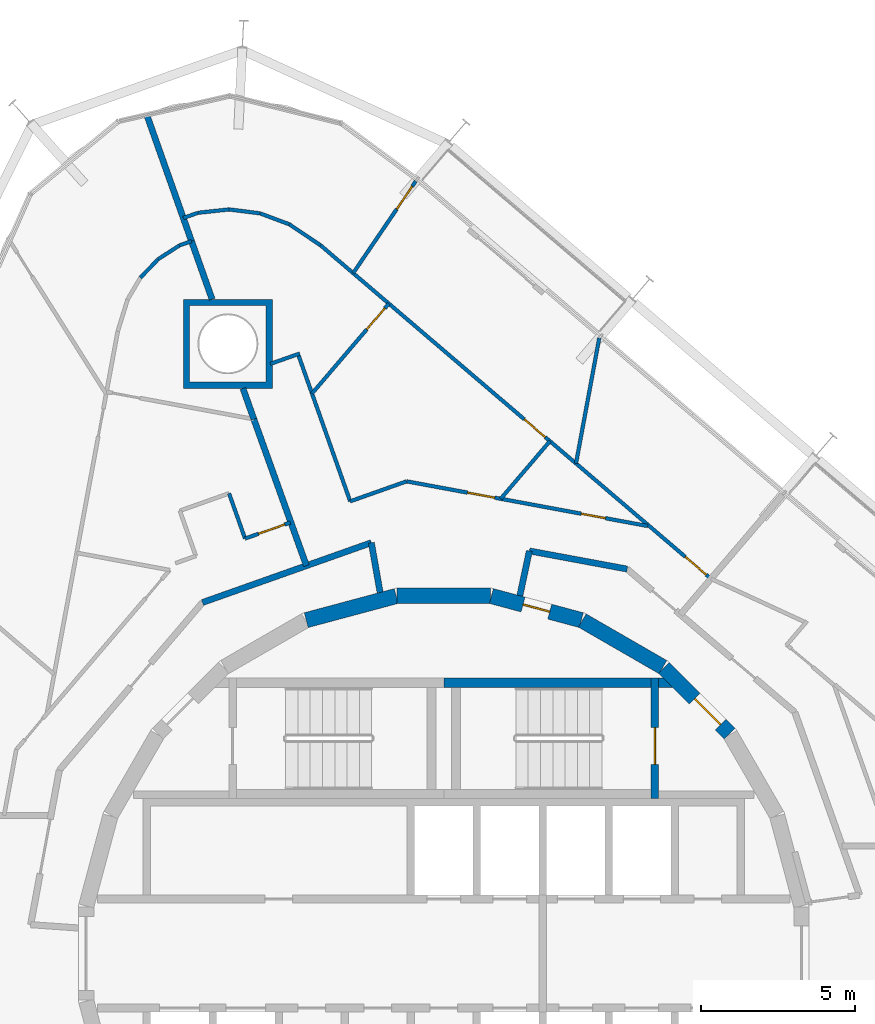
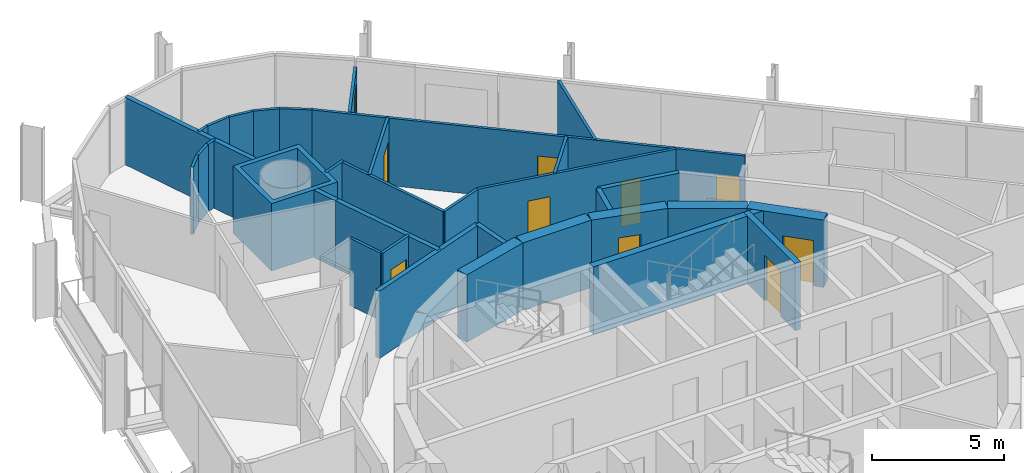
# One storey, part 15 of 17: 36 walls, 10 doors, 10 openings.
"""IFC4 building model written with IfcOpenShell, lengths in metres."""

from ifc_helpers import new_model, si_unit, direction, frame, frame_2d, origin, place, context, subcontext, project, spatial, polyline, rectangle, outline, extrude, material, layer, layer_set, type_object, element, fill, save


model = new_model("IFC4")

# Units and contexts
model_context = context("Model", 3, precision=1e-05, world=origin(), true_north=direction((0.0, 1.0)))
body_context = subcontext(model_context, "Body", "Model", "MODEL_VIEW")
ifc_project = project(units=[si_unit("LENGTHUNIT", "METRE"), si_unit("AREAUNIT", "SQUARE_METRE"), si_unit("VOLUMEUNIT", "CUBIC_METRE"), si_unit("PLANEANGLEUNIT", "RADIAN"), si_unit("MASSUNIT", "GRAM", prefix="KILO")], contexts=[model_context])

# Site, building, storey
site_placement = place(None, origin())
site = spatial("IfcSite", under=ifc_project, at=site_placement, CompositionType="ELEMENT")
building_placement = place(site_placement, origin())
building = spatial("IfcBuilding", under=site, at=building_placement, Name="Spindle Arch Residences", CompositionType="ELEMENT")
storey_placement = place(building_placement, frame((0.0, 0.0, 158.699951171875)))
storey = spatial("IfcBuildingStorey", under=building, at=storey_placement, Name="L39", CompositionType="ELEMENT", Elevation=158.699951171875)

# Wall, opening, door
ifc_material_1 = material(Name="Concrete C50/60", Category="concrete")
ifc_layer_1 = layer(ifc_material_1, 0.5)
ifc_layer_set_1 = layer_set([ifc_layer_1], Name="Core outline wall 500")
wall_type_1 = type_object("IfcWallType", Name="Core outline wall 500", PredefinedType="SHEAR", material=ifc_layer_set_1)
wall_1_placement = place(storey_placement, frame((9.30810546875, 7.163818359375, 0.0), z_axis=(0.0, 0.0, 1.0), x_axis=(-0.707106781187, 0.707106781187, 0.0)))
wall_1 = element("IfcWall", 1, at=wall_1_placement, inside=storey, type_object=wall_type_1, Name="Core outline wall 9", PredefinedType="SHEAR", context=body_context, shape_type="SweptSolid", body=[
    extrude(rectangle(XDim=3.032470703125, YDim=0.5, at=frame_2d((1.51611328125, 0.0))), origin(), (0.0, 0.0, 1.0), 3.1201171875),
])
opening_1_placement = place(wall_1_placement, frame((0.416259765625, 0.0, 0.0)))
opening_1 = element("IfcOpeningElement", 2, at=opening_1_placement, cuts=wall_1, Name="Opening R4A0-AD01", PredefinedType="OPENING", context=body_context, shape_type="SweptSolid", body=[
    extrude(rectangle(XDim=1.199951171875, YDim=2.10009765625, at=frame_2d((0.60009765625, 1.050048828125))), frame((0.0, 0.260009765625, 0.0), z_axis=(0.0, -1.0, 0.0), x_axis=(1.0, 0.0, 0.0)), (0.0, 0.0, 1.0), 0.52001953125),
])
ifc_material_2 = material(Name="Steel, fire-resisting door", Category="steel")
door_type_1 = type_object("IfcDoorType", Name="Stair airlock door 1200x2100", OperationType="SINGLE_SWING_LEFT", PredefinedType="DOOR", material=ifc_material_2)
door_1_placement = place(opening_1_placement, origin())
door_1 = element("IfcDoor", 3, at=door_1_placement, inside=storey, type_object=door_type_1, Name="Stair airlock door R4A0-AD01", OperationType="SINGLE_SWING_RIGHT", OverallHeight=2.10009765625, OverallWidth=1.199951171875, PredefinedType="DOOR", context=body_context, shape_type="SweptSolid", body=[
    extrude(rectangle(XDim=1.199951171875, YDim=2.10009765625, at=frame_2d((0.60009765625, 1.050048828125))), frame((0.0, 0.02490234375, 0.0), z_axis=(0.0, -1.0, 0.0), x_axis=(1.0, 0.0, 0.0)), (0.0, 0.0, 1.0), 0.050048828125),
])
fill(opening_1, door_1)

# Wall
wall_2_placement = place(storey_placement, frame((7.13671875, 9.32861328125, 0.0), z_axis=(0.0, 0.0, 1.0), x_axis=(-0.865975092491, 0.500087131594, 0.0)))
element("IfcWall", 4, at=wall_2_placement, inside=storey, type_object=wall_type_1, Name="Core outline wall 10", PredefinedType="SHEAR", context=body_context, shape_type="SweptSolid", body=[
    extrude(rectangle(XDim=3.03271484375, YDim=0.5, at=frame_2d((1.516357421875, 0.0))), origin(), (0.0, 0.0, 1.0), 3.1201171875),
])

# Wall, opening, door
wall_3_placement = place(storey_placement, frame((4.479248046875, 10.858154296875, 0.0), z_axis=(0.0, 0.0, 1.0), x_axis=(-0.965948410781, 0.258734743916, 0.0)))
wall_3 = element("IfcWall", 5, at=wall_3_placement, inside=storey, type_object=wall_type_1, Name="Core outline wall 11", PredefinedType="SHEAR", context=body_context, shape_type="SweptSolid", body=[
    extrude(rectangle(XDim=3.03271484375, YDim=0.5, at=frame_2d((1.516357421875, 0.0))), origin(), (0.0, 0.0, 1.0), 3.1201171875),
])
opening_2_placement = place(wall_3_placement, frame((1.066162109375, 0.0, 0.0)))
opening_2 = element("IfcOpeningElement", 6, at=opening_2_placement, cuts=wall_3, Name="Opening R4A0-WD11", PredefinedType="OPENING", context=body_context, shape_type="SweptSolid", body=[
    extrude(rectangle(XDim=0.89990234375, YDim=2.10009765625, at=frame_2d((0.449951171875, 1.050048828125))), frame((0.0, 0.260009765625, 0.0), z_axis=(0.0, -1.0, 0.0), x_axis=(1.0, 0.0, 0.0)), (0.0, 0.0, 1.0), 0.52001953125),
])
ifc_material_3 = material(Name="Steel, fire-resisting door", Category="steel")
door_type_2 = type_object("IfcDoorType", Name="Service room door 900x2100", OperationType="SINGLE_SWING_LEFT", PredefinedType="DOOR", material=ifc_material_3)
door_2_placement = place(opening_2_placement, origin())
door_2 = element("IfcDoor", 7, at=door_2_placement, inside=storey, type_object=door_type_2, Name="Service room door R4A0-WD11", OperationType="SINGLE_SWING_LEFT", OverallHeight=2.10009765625, OverallWidth=0.89990234375, PredefinedType="DOOR", context=body_context, shape_type="SweptSolid", body=[
    extrude(rectangle(XDim=0.89990234375, YDim=2.10009765625, at=frame_2d((0.449951171875, 1.050048828125))), frame((0.0, 0.02490234375, 0.0), z_axis=(0.0, -1.0, 0.0), x_axis=(1.0, 0.0, 0.0)), (0.0, 0.0, 1.0), 0.050048828125),
])
fill(opening_2, door_2)

# Walls
for number, where, z_axis, x_axis, name in (
    (8, (1.516357421875, 11.647216796875, 0.0), (0.0, 0.0, 1.0), (-1.0, 0.0, 0.0), "Core outline wall 12"),
    (9, (-1.5498046875, 11.642822265625, 0.0), (0.0, 0.0, 1.0), (-0.965948410781, -0.258734743916, 0.0), "Core outline wall 13"),
):
    element("IfcWall", number, at=place(storey_placement, frame(where, z_axis=z_axis, x_axis=x_axis)), inside=storey, type_object=wall_type_1, Name=name, PredefinedType="SHEAR", context=body_context, shape_type="SweptSolid", body=[
        extrude(rectangle(XDim=3.03271484375, YDim=0.5, at=frame_2d((1.516357421875, 0.0))), origin(), (0.0, 0.0, 1.0), 3.1201171875),
    ])
ifc_material_4 = material(Name="Calcium silicate block, plastered")
ifc_layer_2 = layer(ifc_material_4, 0.199951171875)
ifc_layer_set_2 = layer_set([ifc_layer_2], Name="Corridor wall 200")
wall_type_2 = type_object("IfcWallType", Name="Corridor wall 200", PredefinedType="STANDARD", material=ifc_layer_set_2)
wall_4_placement = place(storey_placement, frame((5.972412109375, 12.521240234375, 0.0), z_axis=(0.0, 0.0, 1.0), x_axis=(-0.983243002308, 0.182299748799, 0.0)))
element("IfcWall", 10, at=wall_4_placement, inside=storey, type_object=wall_type_2, Name="Corridor wall R4A0-W005", PredefinedType="STANDARD", context=body_context, shape_type="SweptSolid", body=[
    extrude(rectangle(XDim=3.239501953125, YDim=0.199951171875, at=frame_2d((1.61962890625, 0.0))), origin(), (0.0, 0.0, 1.0), 3.1201171875),
])
wall_5_placement = place(storey_placement, frame((2.787109375, 13.11181640625, 0.0), z_axis=(0.0, 0.0, 1.0), x_axis=(-0.207941001029, -0.978141370197, 0.0)))
element("IfcWall", 11, at=wall_5_placement, inside=storey, type_object=wall_type_2, Name="Corridor wall R4A0-W006", PredefinedType="STANDARD", context=body_context, shape_type="SweptSolid", body=[
    extrude(rectangle(XDim=1.4912109375, YDim=0.199951171875, at=frame_2d((0.74560546875, 0.0))), origin(), (0.0, 0.0, 1.0), 3.1201171875),
])
wall_6_placement = place(storey_placement, frame((-2.07373046875, 11.76123046875, 0.0), z_axis=(0.0, 0.0, 1.0), x_axis=(-0.1736412798, 0.984808969267, 0.0)))
element("IfcWall", 12, at=wall_6_placement, inside=storey, type_object=wall_type_2, Name="Corridor wall R4A0-W009", PredefinedType="STANDARD", context=body_context, shape_type="SweptSolid", body=[
    extrude(rectangle(XDim=1.6435546875, YDim=0.199951171875, at=frame_2d((0.82177734375, 0.0))), origin(), (0.0, 0.0, 1.0), 3.1201171875),
])
wall_7_placement = place(storey_placement, frame((-2.359130859375, 13.3798828125, 0.0), z_axis=(0.0, 0.0, 1.0), x_axis=(-0.942647529236, -0.333789807551, 0.0)))
element("IfcWall", 13, at=wall_7_placement, inside=storey, type_object=wall_type_2, Name="Corridor wall R4A0-W010", PredefinedType="STANDARD", context=body_context, shape_type="SweptSolid", body=[
    extrude(rectangle(XDim=5.8330078125, YDim=0.199951171875, at=frame_2d((2.91650390625, 0.0))), origin(), (0.0, 0.0, 1.0), 3.1201171875),
])

# Wall, openings, doors
ifc_material_5 = material(Name="Plasterboard on steel studs", Category="steel")
ifc_layer_3 = layer(ifc_material_5, 0.1201171875)
ifc_layer_set_3 = layer_set([ifc_layer_3], Name="Flat partition 120")
wall_type_3 = type_object("IfcWallType", Name="Flat partition 120", PredefinedType="PARTITIONING", material=ifc_layer_set_3)
wall_8_placement = place(storey_placement, frame((8.701904296875, 12.205810546875, 0.0), z_axis=(0.0, 0.0, 1.0), x_axis=(-0.760401313718, 0.649453494945, 0.0)))
wall_8 = element("IfcWall", 14, at=wall_8_placement, inside=storey, type_object=wall_type_3, Name="Flat partition R4A0-W054", PredefinedType="PARTITIONING", context=body_context, shape_type="SweptSolid", body=[
    extrude(rectangle(XDim=16.723876953125, YDim=0.1201171875, at=frame_2d((8.36181640625, 0.0))), origin(), (0.0, 0.0, 1.0), 3.1201171875),
])
opening_3_placement = place(wall_8_placement, frame((0.199951171875, 0.0, 0.0)))
opening_3 = element("IfcOpeningElement", 15, at=opening_3_placement, cuts=wall_8, Name="Opening R4A0-ID06", PredefinedType="OPENING", context=body_context, shape_type="SweptSolid", body=[
    extrude(rectangle(XDim=0.89990234375, YDim=2.10009765625, at=frame_2d((0.449951171875, 1.050048828125))), frame((0.0, 0.070068359375, 0.0), z_axis=(0.0, -1.0, 0.0), x_axis=(1.0, 0.0, 0.0)), (0.0, 0.0, 1.0), 0.14013671875),
])
opening_4_placement = place(wall_8_placement, frame((7.09912109375, 0.0, 0.0)))
opening_4 = element("IfcOpeningElement", 16, at=opening_4_placement, cuts=wall_8, Name="Opening R4A0-ID08", PredefinedType="OPENING", context=body_context, shape_type="SweptSolid", body=[
    extrude(rectangle(XDim=0.89990234375, YDim=2.10009765625, at=frame_2d((0.449951171875, 1.050048828125))), frame((0.0, 0.070068359375, 0.0), z_axis=(0.0, -1.0, 0.0), x_axis=(1.0, 0.0, 0.0)), (0.0, 0.0, 1.0), 0.14013671875),
])
ifc_material_6 = material(Name="Timber door set", Category="wood")
door_type_3 = type_object("IfcDoorType", Name="Room door 900x2100", OperationType="NOTDEFINED", PredefinedType="DOOR", material=ifc_material_6)
door_3_placement = place(opening_3_placement, origin())
door_3 = element("IfcDoor", 17, at=door_3_placement, inside=storey, type_object=door_type_3, Name="Room door R4A0-ID06", OperationType="SINGLE_SWING_RIGHT", OverallHeight=2.10009765625, OverallWidth=0.89990234375, PredefinedType="DOOR", context=body_context, shape_type="SweptSolid", body=[
    extrude(rectangle(XDim=0.89990234375, YDim=2.10009765625, at=frame_2d((0.449951171875, 1.050048828125))), frame((0.0, 0.02490234375, 0.0), z_axis=(0.0, -1.0, 0.0), x_axis=(1.0, 0.0, 0.0)), (0.0, 0.0, 1.0), 0.050048828125),
])
fill(opening_3, door_3)
door_4_placement = place(opening_4_placement, origin())
door_4 = element("IfcDoor", 18, at=door_4_placement, inside=storey, type_object=door_type_3, Name="Room door R4A0-ID08", OperationType="SINGLE_SWING_RIGHT", OverallHeight=2.10009765625, OverallWidth=0.89990234375, PredefinedType="DOOR", context=body_context, shape_type="SweptSolid", body=[
    extrude(rectangle(XDim=0.89990234375, YDim=2.10009765625, at=frame_2d((0.449951171875, 1.050048828125))), frame((0.0, 0.02490234375, 0.0), z_axis=(0.0, -1.0, 0.0), x_axis=(1.0, 0.0, 0.0)), (0.0, 0.0, 1.0), 0.050048828125),
])
fill(opening_4, door_4)

wall_9_placement = place(storey_placement, frame((6.640869140625, 13.9228515625, 0.0), z_axis=(0.0, 0.0, 1.0), x_axis=(-0.983250157272, 0.182261153912, 0.0)))
wall_9 = element("IfcWall", 19, at=wall_9_placement, inside=storey, type_object=wall_type_3, Name="Flat partition R4A0-W055", PredefinedType="PARTITIONING", context=body_context, shape_type="SweptSolid", body=[
    extrude(rectangle(XDim=7.98486328125, YDim=0.1201171875, at=frame_2d((3.992431640625, 0.0))), origin(), (0.0, 0.0, 1.0), 3.1201171875),
])
opening_5_placement = place(wall_9_placement, frame((1.39990234375, 0.0, 0.0)))
opening_5 = element("IfcOpeningElement", 20, at=opening_5_placement, cuts=wall_9, Name="Opening R4A0-BD02", PredefinedType="OPENING", context=body_context, shape_type="SweptSolid", body=[
    extrude(rectangle(XDim=0.800048828125, YDim=2.10009765625, at=frame_2d((0.39990234375, 1.050048828125))), frame((0.0, 0.070068359375, 0.0), z_axis=(0.0, -1.0, 0.0), x_axis=(1.0, 0.0, 0.0)), (0.0, 0.0, 1.0), 0.14013671875),
])
opening_6_placement = place(wall_9_placement, frame((5.06884765625, 0.0, 0.0)))
opening_6 = element("IfcOpeningElement", 21, at=opening_6_placement, cuts=wall_9, Name="Opening R4A0-ID07", PredefinedType="OPENING", context=body_context, shape_type="SweptSolid", body=[
    extrude(rectangle(XDim=0.89990234375, YDim=2.10009765625, at=frame_2d((0.449951171875, 1.050048828125))), frame((0.0, 0.070068359375, 0.0), z_axis=(0.0, -1.0, 0.0), x_axis=(1.0, 0.0, 0.0)), (0.0, 0.0, 1.0), 0.14013671875),
])
ifc_material_7 = material(Name="Timber door set", Category="wood")
door_type_4 = type_object("IfcDoorType", Name="Bathroom door 800x2100", OperationType="NOTDEFINED", PredefinedType="DOOR", material=ifc_material_7)
door_5_placement = place(opening_5_placement, origin())
door_5 = element("IfcDoor", 22, at=door_5_placement, inside=storey, type_object=door_type_4, Name="Bathroom door R4A0-BD02", OperationType="SINGLE_SWING_RIGHT", OverallHeight=2.10009765625, OverallWidth=0.800048828125, PredefinedType="DOOR", context=body_context, shape_type="SweptSolid", body=[
    extrude(rectangle(XDim=0.800048828125, YDim=2.10009765625, at=frame_2d((0.39990234375, 1.050048828125))), frame((0.0, 0.02490234375, 0.0), z_axis=(0.0, -1.0, 0.0), x_axis=(1.0, 0.0, 0.0)), (0.0, 0.0, 1.0), 0.050048828125),
])
fill(opening_5, door_5)
door_6_placement = place(opening_6_placement, origin())
door_6 = element("IfcDoor", 23, at=door_6_placement, inside=storey, type_object=door_type_3, Name="Room door R4A0-ID07", OperationType="SINGLE_SWING_RIGHT", OverallHeight=2.10009765625, OverallWidth=0.89990234375, PredefinedType="DOOR", context=body_context, shape_type="SweptSolid", body=[
    extrude(rectangle(XDim=0.89990234375, YDim=2.10009765625, at=frame_2d((0.449951171875, 1.050048828125))), frame((0.0, 0.02490234375, 0.0), z_axis=(0.0, -1.0, 0.0), x_axis=(1.0, 0.0, 0.0)), (0.0, 0.0, 1.0), 0.050048828125),
])
fill(opening_6, door_6)

# Walls
wall_10_placement = place(storey_placement, frame((-1.210205078125, 15.378173828125, 0.0), z_axis=(0.0, 0.0, 1.0), x_axis=(-0.942633792474, -0.333828598663, 0.0)))
element("IfcWall", 24, at=wall_10_placement, inside=storey, type_object=wall_type_3, Name="Flat partition R4A0-W056", PredefinedType="PARTITIONING", context=body_context, shape_type="SweptSolid", body=[
    extrude(rectangle(XDim=1.94970703125, YDim=0.1201171875, at=frame_2d((0.974853515625, 0.0))), origin(), (0.0, 0.0, 1.0), 3.1201171875),
])
wall_11_placement = place(storey_placement, frame((-3.048095703125, 14.727294921875, 0.0), z_axis=(0.0, 0.0, 1.0), x_axis=(-0.333811603187, 0.942639811157, 0.0)))
element("IfcWall", 25, at=wall_11_placement, inside=storey, type_object=wall_type_3, Name="Flat partition R4A0-W057", PredefinedType="PARTITIONING", context=body_context, shape_type="SweptSolid", body=[
    extrude(rectangle(XDim=5.086669921875, YDim=0.1201171875, at=frame_2d((2.54345703125, 0.0))), origin(), (0.0, 0.0, 1.0), 3.1201171875),
])
wall_12_placement = place(storey_placement, frame((-4.689453125, 19.5419921875, 0.0), z_axis=(0.0, 0.0, 1.0), x_axis=(-0.942661851862, -0.33374935662, 0.0)))
element("IfcWall", 26, at=wall_12_placement, inside=storey, type_object=wall_type_3, Name="Flat partition R4A0-W058", PredefinedType="PARTITIONING", context=body_context, shape_type="SweptSolid", body=[
    extrude(rectangle(XDim=1.016845703125, YDim=0.1201171875, at=frame_2d((0.50830078125, 0.0))), origin(), (0.0, 0.0, 1.0), 3.1201171875),
])
wall_13_placement = place(storey_placement, frame((5.063232421875, 20.048095703125, 0.0), z_axis=(0.0, 0.0, 1.0), x_axis=(-0.182238575099, -0.983254342348, 0.0)))
element("IfcWall", 27, at=wall_13_placement, inside=storey, type_object=wall_type_3, Name="Flat partition R4A0-W059", PredefinedType="PARTITIONING", context=body_context, shape_type="SweptSolid", body=[
    extrude(rectangle(XDim=4.156982421875, YDim=0.1201171875, at=frame_2d((2.07861328125, 0.0))), origin(), (0.0, 0.0, 1.0), 3.1201171875),
])
wall_14_placement = place(storey_placement, frame((3.455810546875, 16.686279296875, 0.0), z_axis=(0.0, 0.0, 1.0), x_axis=(-0.649462010463, -0.760394040591, 0.0)))
element("IfcWall", 28, at=wall_14_placement, inside=storey, type_object=wall_type_3, Name="Flat partition R4A0-W060", PredefinedType="PARTITIONING", context=body_context, shape_type="SweptSolid", body=[
    extrude(rectangle(XDim=2.467041015625, YDim=0.1201171875, at=frame_2d((1.2333984375, 0.0))), origin(), (0.0, 0.0, 1.0), 3.1201171875),
])

# Wall, opening, door
wall_15_placement = place(storey_placement, frame((-1.790283203125, 21.1669921875, 0.0), z_axis=(0.0, 0.0, 1.0), x_axis=(-0.649427819186, -0.760423242456, 0.0)))
wall_15 = element("IfcWall", 29, at=wall_15_placement, inside=storey, type_object=wall_type_3, Name="Flat partition R4A0-W062", PredefinedType="PARTITIONING", context=body_context, shape_type="SweptSolid", body=[
    extrude(rectangle(XDim=3.851318359375, YDim=0.1201171875, at=frame_2d((1.92578125, 0.0))), origin(), (0.0, 0.0, 1.0), 3.1201171875),
])
opening_7_placement = place(wall_15_placement, frame((0.199951171875, 0.0, 0.0)))
opening_7 = element("IfcOpeningElement", 30, at=opening_7_placement, cuts=wall_15, Name="Opening R4A0-ID09", PredefinedType="OPENING", context=body_context, shape_type="SweptSolid", body=[
    extrude(rectangle(XDim=0.89990234375, YDim=2.10009765625, at=frame_2d((0.449951171875, 1.050048828125))), frame((0.0, 0.070068359375, 0.0), z_axis=(0.0, -1.0, 0.0), x_axis=(1.0, 0.0, 0.0)), (0.0, 0.0, 1.0), 0.14013671875),
])
door_7_placement = place(opening_7_placement, origin())
door_7 = element("IfcDoor", 31, at=door_7_placement, inside=storey, type_object=door_type_3, Name="Room door R4A0-ID09", OperationType="SINGLE_SWING_RIGHT", OverallHeight=2.10009765625, OverallWidth=0.89990234375, PredefinedType="DOOR", context=body_context, shape_type="SweptSolid", body=[
    extrude(rectangle(XDim=0.89990234375, YDim=2.10009765625, at=frame_2d((0.449951171875, 1.050048828125))), frame((0.0, 0.02490234375, 0.0), z_axis=(0.0, -1.0, 0.0), x_axis=(1.0, 0.0, 0.0)), (0.0, 0.0, 1.0), 0.050048828125),
])
fill(opening_7, door_7)

# Walls
wall_16_placement = place(storey_placement, frame((-8.482666015625, 23.9541015625, 0.0), z_axis=(0.0, 0.0, 1.0), x_axis=(0.942554725445, 0.334051776738, 0.0)))
element("IfcWall", 32, at=wall_16_placement, inside=storey, type_object=wall_type_3, Name="Flat partition R4A0-W063", PredefinedType="PARTITIONING", context=body_context, shape_type="SweptSolid", body=[
    extrude(rectangle(XDim=0.508056640625, YDim=0.1201171875, at=frame_2d((0.25390625, 0.0))), origin(), (0.0, 0.0, 1.0), 3.1201171875),
])
wall_17_placement = place(storey_placement, frame((-8.00390625, 24.123779296875, 0.0), z_axis=(0.0, 0.0, 1.0), x_axis=(0.994216064839, 0.107398400431, 0.0)))
element("IfcWall", 33, at=wall_17_placement, inside=storey, type_object=wall_type_3, Name="Flat partition R4A0-W064", PredefinedType="PARTITIONING", context=body_context, shape_type="SweptSolid", body=[
    extrude(rectangle(XDim=1.01611328125, YDim=0.1201171875, at=frame_2d((0.508056640625, 0.0))), origin(), (0.0, 0.0, 1.0), 3.1201171875),
])
wall_18_placement = place(storey_placement, frame((-6.99365234375, 24.23291015625, 0.0), z_axis=(0.0, 0.0, 1.0), x_axis=(0.992188875952, -0.124744676991, 0.0)))
element("IfcWall", 34, at=wall_18_placement, inside=storey, type_object=wall_type_3, Name="Flat partition R4A0-W065", PredefinedType="PARTITIONING", context=body_context, shape_type="SweptSolid", body=[
    extrude(rectangle(XDim=1.015625, YDim=0.1201171875, at=frame_2d((0.5078125, 0.0))), origin(), (0.0, 0.0, 1.0), 3.1201171875),
])
wall_19_placement = place(storey_placement, frame((-5.98583984375, 24.106201171875, 0.0), z_axis=(0.0, 0.0, 1.0), x_axis=(0.936625084254, -0.350333343469, 0.0)))
element("IfcWall", 35, at=wall_19_placement, inside=storey, type_object=wall_type_3, Name="Flat partition R4A0-W066", PredefinedType="PARTITIONING", context=body_context, shape_type="SweptSolid", body=[
    extrude(rectangle(XDim=1.01611328125, YDim=0.1201171875, at=frame_2d((0.508056640625, 0.0))), origin(), (0.0, 0.0, 1.0), 3.1201171875),
])
wall_20_placement = place(storey_placement, frame((-5.0341796875, 23.750244140625, 0.0), z_axis=(0.0, 0.0, 1.0), x_axis=(0.83070096574, -0.556718874764, 0.0)))
element("IfcWall", 36, at=wall_20_placement, inside=storey, type_object=wall_type_3, Name="Flat partition R4A0-W067", PredefinedType="PARTITIONING", context=body_context, shape_type="SweptSolid", body=[
    extrude(rectangle(XDim=1.22705078125, YDim=0.1201171875, at=frame_2d((0.613525390625, 0.0))), origin(), (0.0, 0.0, 1.0), 3.1201171875),
])

# Wall, opening, door
wall_21_placement = place(storey_placement, frame((-4.993408203125, 14.038330078125, 0.0), z_axis=(0.0, 0.0, 1.0), x_axis=(-0.942685371668, -0.333682918418, 0.0)))
wall_21 = element("IfcWall", 37, at=wall_21_placement, inside=storey, type_object=wall_type_3, Name="Flat partition R4A0-W068", PredefinedType="PARTITIONING", context=body_context, shape_type="SweptSolid", body=[
    extrude(rectangle(XDim=1.568603515625, YDim=0.1201171875, at=frame_2d((0.7841796875, 0.0))), origin(), (0.0, 0.0, 1.0), 3.1201171875),
])
opening_8_placement = place(wall_21_placement, frame((0.199951171875, 0.0, 0.0)))
opening_8 = element("IfcOpeningElement", 38, at=opening_8_placement, cuts=wall_21, Name="Opening R4A0-ID11", PredefinedType="OPENING", context=body_context, shape_type="SweptSolid", body=[
    extrude(rectangle(XDim=0.89990234375, YDim=2.10009765625, at=frame_2d((0.449951171875, 1.050048828125))), frame((0.0, 0.070068359375, 0.0), z_axis=(0.0, -1.0, 0.0), x_axis=(1.0, 0.0, 0.0)), (0.0, 0.0, 1.0), 0.14013671875),
])
door_8_placement = place(opening_8_placement, origin())
door_8 = element("IfcDoor", 39, at=door_8_placement, inside=storey, type_object=door_type_3, Name="Room door R4A0-ID11", OperationType="SINGLE_SWING_LEFT", OverallHeight=2.10009765625, OverallWidth=0.89990234375, PredefinedType="DOOR", context=body_context, shape_type="SweptSolid", body=[
    extrude(rectangle(XDim=0.89990234375, YDim=2.10009765625, at=frame_2d((0.449951171875, 1.050048828125))), frame((0.0, 0.02490234375, 0.0), z_axis=(0.0, -1.0, 0.0), x_axis=(1.0, 0.0, 0.0)), (0.0, 0.0, 1.0), 0.050048828125),
])
fill(opening_8, door_8)

# Walls
wall_22_placement = place(storey_placement, frame((-6.47216796875, 13.514892578125, 0.0), z_axis=(0.0, 0.0, 1.0), x_axis=(-0.333809516424, 0.942640550127, 0.0)))
element("IfcWall", 40, at=wall_22_placement, inside=storey, type_object=wall_type_3, Name="Flat partition R4A0-W069", PredefinedType="PARTITIONING", context=body_context, shape_type="SweptSolid", body=[
    extrude(rectangle(XDim=1.5615234375, YDim=0.1201171875, at=frame_2d((0.78076171875, 0.0))), origin(), (0.0, 0.0, 1.0), 3.1201171875),
])
wall_23_placement = place(storey_placement, frame((-8.215576171875, 23.2001953125, 0.0), z_axis=(0.0, 0.0, 1.0), x_axis=(-0.942565413363, -0.33402161836, 0.0)))
element("IfcWall", 41, at=wall_23_placement, inside=storey, type_object=wall_type_3, Name="Flat partition R4A0-W075", PredefinedType="PARTITIONING", context=body_context, shape_type="SweptSolid", body=[
    extrude(rectangle(XDim=0.414306640625, YDim=0.1201171875, at=frame_2d((0.20703125, 0.0))), origin(), (0.0, 0.0, 1.0), 3.1201171875),
])
for number, where, z_axis, x_axis, name in (
    (42, (-8.606201171875, 23.061767578125, 0.0), (0.0, 0.0, 1.0), (-0.840249037985, -0.542200658581, 0.0), "Flat partition R4A0-W076"),
    (43, (-9.302734375, 22.6123046875, 0.0), (0.0, 0.0, 1.0), (-0.692525696474, -0.721393207428, 0.0), "Flat partition R4A0-W077"),
):
    element("IfcWall", number, at=place(storey_placement, frame(where, z_axis=z_axis, x_axis=x_axis)), inside=storey, type_object=wall_type_3, Name=name, PredefinedType="PARTITIONING", context=body_context, shape_type="SweptSolid", body=[
        extrude(rectangle(XDim=0.828857421875, YDim=0.1201171875, at=frame_2d((0.41455078125, 0.0))), origin(), (0.0, 0.0, 1.0), 3.1201171875),
    ])

# Wall, opening, door
ifc_material_8 = material(Name="Plasterboard on steel studs", Category="steel")
ifc_layer_4 = layer(ifc_material_8, 0.1201171875)
ifc_layer_set_4 = layer_set([ifc_layer_4], Name="Flat partition 120 under beam 2730")
wall_type_4 = type_object("IfcWallType", Name="Flat partition 120 under beam 2730", PredefinedType="PARTITIONING", material=ifc_layer_set_4)
wall_24_placement = place(storey_placement, frame((-0.913818359375, 25.152587890625, 0.0), z_axis=(0.0, 0.0, 1.0), x_axis=(-0.56264004133, -0.826701992191, 0.0)))
wall_24 = element("IfcWall", 44, at=wall_24_placement, inside=storey, type_object=wall_type_4, Name="Flat partition R4A0-W061", PredefinedType="PARTITIONING", context=body_context, shape_type="SweptSolid", body=[
    extrude(rectangle(XDim=3.62158203125, YDim=0.1201171875, at=frame_2d((1.810791015625, 0.0))), origin(), (0.0, 0.0, 1.0), 2.72998046875),
])
opening_9_placement = place(wall_24_placement, frame((0.199951171875, 0.0, 0.0)))
opening_9 = element("IfcOpeningElement", 45, at=opening_9_placement, cuts=wall_24, Name="Opening R4A0-ID10", PredefinedType="OPENING", context=body_context, shape_type="SweptSolid", body=[
    extrude(rectangle(XDim=0.89990234375, YDim=2.10009765625, at=frame_2d((0.449951171875, 1.050048828125))), frame((0.0, 0.070068359375, 0.0), z_axis=(0.0, -1.0, 0.0), x_axis=(1.0, 0.0, 0.0)), (0.0, 0.0, 1.0), 0.14013671875),
])
door_9_placement = place(opening_9_placement, origin())
door_9 = element("IfcDoor", 46, at=door_9_placement, inside=storey, type_object=door_type_3, Name="Room door R4A0-ID10", OperationType="SINGLE_SWING_RIGHT", OverallHeight=2.10009765625, OverallWidth=0.89990234375, PredefinedType="DOOR", context=body_context, shape_type="SweptSolid", body=[
    extrude(rectangle(XDim=0.89990234375, YDim=2.10009765625, at=frame_2d((0.449951171875, 1.050048828125))), frame((0.0, 0.02490234375, 0.0), z_axis=(0.0, -1.0, 0.0), x_axis=(1.0, 0.0, 0.0)), (0.0, 0.0, 1.0), 0.050048828125),
])
fill(opening_9, door_9)

# Walls
ifc_material_9 = material(Name="Calcium silicate block, plastered")
ifc_layer_5 = layer(ifc_material_9, 0.199951171875)
ifc_layer_set_5 = layer_set([ifc_layer_5], Name="Flat party wall 200")
wall_type_5 = type_object("IfcWallType", Name="Flat party wall 200", PredefinedType="STANDARD", material=ifc_layer_set_5)
wall_25_placement = place(storey_placement, frame((-6.1845703125, 17.401611328125, 0.0), z_axis=(0.0, 0.0, 1.0), x_axis=(0.337736730281, -0.941240618024, 0.0)))
element("IfcWall", 47, at=wall_25_placement, inside=storey, type_object=wall_type_5, Name="Flat party wall R4A0-W030", PredefinedType="STANDARD", context=body_context, shape_type="SweptSolid", body=[
    extrude(rectangle(XDim=5.068115234375, YDim=0.199951171875, at=frame_2d((2.5341796875, 0.0))), origin(), (0.0, 0.0, 1.0), 3.1201171875),
])
wall_26_placement = place(storey_placement, frame((-6.538818359375, 18.402587890625, 0.0), z_axis=(0.0, 0.0, 1.0), x_axis=(0.333625806098, -0.942705585804, 0.0)))
element("IfcWall", 48, at=wall_26_placement, inside=storey, type_object=wall_type_5, Name="Flat party wall R4A0-W031", PredefinedType="STANDARD", context=body_context, shape_type="SweptSolid", body=[
    extrude(rectangle(XDim=1.061767578125, YDim=0.199951171875, at=frame_2d((0.53076171875, 0.0))), origin(), (0.0, 0.0, 1.0), 3.1201171875),
])
wall_27_placement = place(storey_placement, frame((-9.684326171875, 27.34765625, 0.0), z_axis=(0.0, 0.0, 1.0), x_axis=(0.333818381408, -0.942637410797, 0.0)))
element("IfcWall", 49, at=wall_27_placement, inside=storey, type_object=wall_type_5, Name="Flat party wall R4A0-W032", PredefinedType="STANDARD", context=body_context, shape_type="SweptSolid", body=[
    extrude(rectangle(XDim=4.39990234375, YDim=0.199951171875, at=frame_2d((2.199951171875, 0.0))), origin(), (0.0, 0.0, 1.0), 3.1201171875),
])
wall_28_placement = place(storey_placement, frame((-8.215576171875, 23.2001953125, 0.0), z_axis=(0.0, 0.0, 1.0), x_axis=(0.333793117913, -0.942646357036, 0.0)))
element("IfcWall", 50, at=wall_28_placement, inside=storey, type_object=wall_type_5, Name="Flat party wall R4A0-W033", PredefinedType="STANDARD", context=body_context, shape_type="SweptSolid", body=[
    extrude(rectangle(XDim=2.0078125, YDim=0.199951171875, at=frame_2d((1.00390625, 0.0))), origin(), (0.0, 0.0, 1.0), 3.1201171875),
])
ifc_material_10 = material(Name="Calcium silicate block, plastered")
ifc_layer_6 = layer(ifc_material_10, 0.199951171875)
ifc_layer_set_6 = layer_set([ifc_layer_6], Name="Mega-column casing wall 200")
wall_type_6 = type_object("IfcWallType", Name="Mega-column casing wall 200", PredefinedType="STANDARD", material=ifc_layer_set_6)
wall_29_placement = place(storey_placement, origin())
element("IfcWall", 51, at=wall_29_placement, inside=storey, type_object=wall_type_6, Name="Mega-column casing wall R4A0-WC01", PredefinedType="STANDARD", context=body_context, shape_type="SweptSolid", body=[
    extrude(outline(polyline([(-5.581787109375, 21.3076171875), (-5.581787109375, 18.40771484375), (-8.48193359375, 18.40771484375), (-8.48193359375, 21.3076171875), (-5.581787109375, 21.3076171875)]), holes=[polyline([(-8.281982421875, 18.607666015625), (-5.781982421875, 18.607666015625), (-5.781982421875, 21.107666015625), (-8.281982421875, 21.107666015625), (-8.281982421875, 18.607666015625)])]), origin(), (0.0, 0.0, 1.0), 3.1201171875),
])
ifc_material_11 = material(Name="Concrete C40/50", Category="concrete")
wall_type_7 = type_object("IfcWallType", Name="Stair airlock wall profile", PredefinedType="SHEAR", material=ifc_material_11)
wall_30_placement = place(storey_placement, origin())
element("IfcWall", 52, at=wall_30_placement, inside=storey, type_object=wall_type_7, Name="Stair ST-1 airlock wall N", PredefinedType="SHEAR", context=body_context, shape_type="SweptSolid", body=[
    extrude(outline(polyline([(7.4482421875, 8.669921875), (7.0, 8.669921875), (7.0, 8.969970703125), (7.148193359375, 8.969970703125), (7.4482421875, 8.669921875)])), origin(), (0.0, 0.0, 1.0), 3.1201171875),
])

# Wall, opening, door
ifc_material_12 = material(Name="Concrete C50/60", Category="concrete")
ifc_layer_7 = layer(ifc_material_12, 0.25)
ifc_layer_set_7 = layer_set([ifc_layer_7], Name="Stair enclosure wall 250")
wall_type_8 = type_object("IfcWallType", Name="Stair enclosure wall 250", PredefinedType="SHEAR", material=ifc_layer_set_7)
wall_31_placement = place(storey_placement, frame((6.875, 5.050048828125, 0.0), z_axis=(0.0, 0.0, 1.0), x_axis=(0.0, 1.0, 0.0)))
wall_31 = element("IfcWall", 53, at=wall_31_placement, inside=storey, type_object=wall_type_8, Name="Stair ST-1 door wall", PredefinedType="SHEAR", context=body_context, shape_type="SweptSolid", body=[
    extrude(rectangle(XDim=3.919921875, YDim=0.25, at=frame_2d((1.9599609375, 0.0))), origin(), (0.0, 0.0, 1.0), 3.1201171875),
])
opening_10_placement = place(wall_31_placement, frame((1.110107421875, 0.0, 0.0)))
opening_10 = element("IfcOpeningElement", 54, at=opening_10_placement, cuts=wall_31, Name="Opening R4A0-SD01", PredefinedType="OPENING", context=body_context, shape_type="SweptSolid", body=[
    extrude(rectangle(XDim=1.199951171875, YDim=2.10009765625, at=frame_2d((0.60009765625, 1.050048828125))), frame((0.0, 0.135009765625, 0.0), z_axis=(0.0, -1.0, 0.0), x_axis=(1.0, 0.0, 0.0)), (0.0, 0.0, 1.0), 0.27001953125),
])
ifc_material_13 = material(Name="Steel, fire-resisting door", Category="steel")
door_type_5 = type_object("IfcDoorType", Name="Stair door 1200x2100", OperationType="SINGLE_SWING_RIGHT", PredefinedType="DOOR", material=ifc_material_13)
door_10_placement = place(opening_10_placement, origin())
door_10 = element("IfcDoor", 55, at=door_10_placement, inside=storey, type_object=door_type_5, Name="Stair door R4A0-SD01", OperationType="SINGLE_SWING_LEFT", OverallHeight=2.10009765625, OverallWidth=1.199951171875, PredefinedType="DOOR", context=body_context, shape_type="SweptSolid", body=[
    extrude(rectangle(XDim=1.199951171875, YDim=2.10009765625, at=frame_2d((0.60009765625, 1.050048828125))), frame((0.0, 0.02490234375, 0.0), z_axis=(0.0, -1.0, 0.0), x_axis=(1.0, 0.0, 0.0)), (0.0, 0.0, 1.0), 0.050048828125),
])
fill(opening_10, door_10)

# Wall
ifc_material_14 = material(Name="Concrete C50/60", Category="concrete")
ifc_layer_8 = layer(ifc_material_14, 0.300048828125)
ifc_layer_set_8 = layer_set([ifc_layer_8], Name="Stair enclosure wall 300")
wall_type_9 = type_object("IfcWallType", Name="Stair enclosure wall 300", PredefinedType="SHEAR", material=ifc_layer_set_8)
wall_32_placement = place(storey_placement, frame((0.0, 8.820068359375, 0.0), z_axis=(0.0, 0.0, 1.0), x_axis=(1.0, 0.0, 0.0)))
element("IfcWall", 56, at=wall_32_placement, inside=storey, type_object=wall_type_9, Name="Stair ST-1 enclosure wall N", PredefinedType="SHEAR", context=body_context, shape_type="SweptSolid", body=[
    extrude(rectangle(XDim=6.75, YDim=0.300048828125, at=frame_2d((3.375, 0.0))), origin(), (0.0, 0.0, 1.0), 3.1201171875),
])

save(model, "model.ifc")
